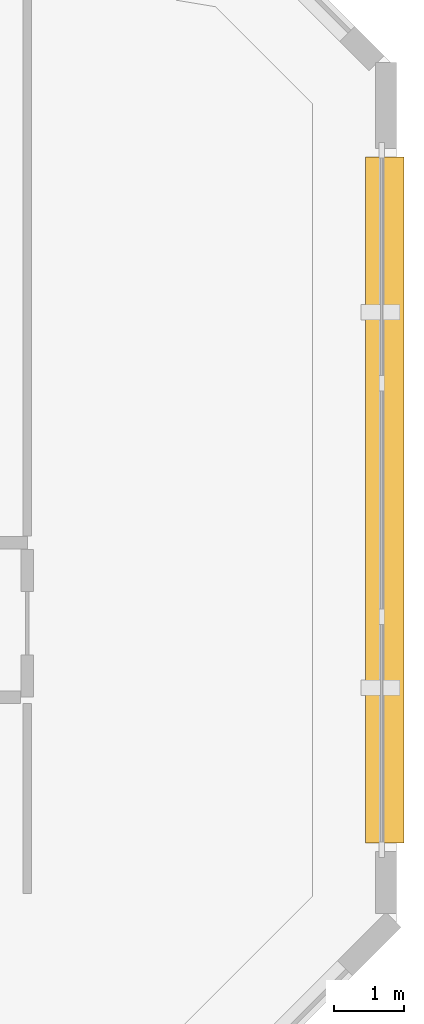
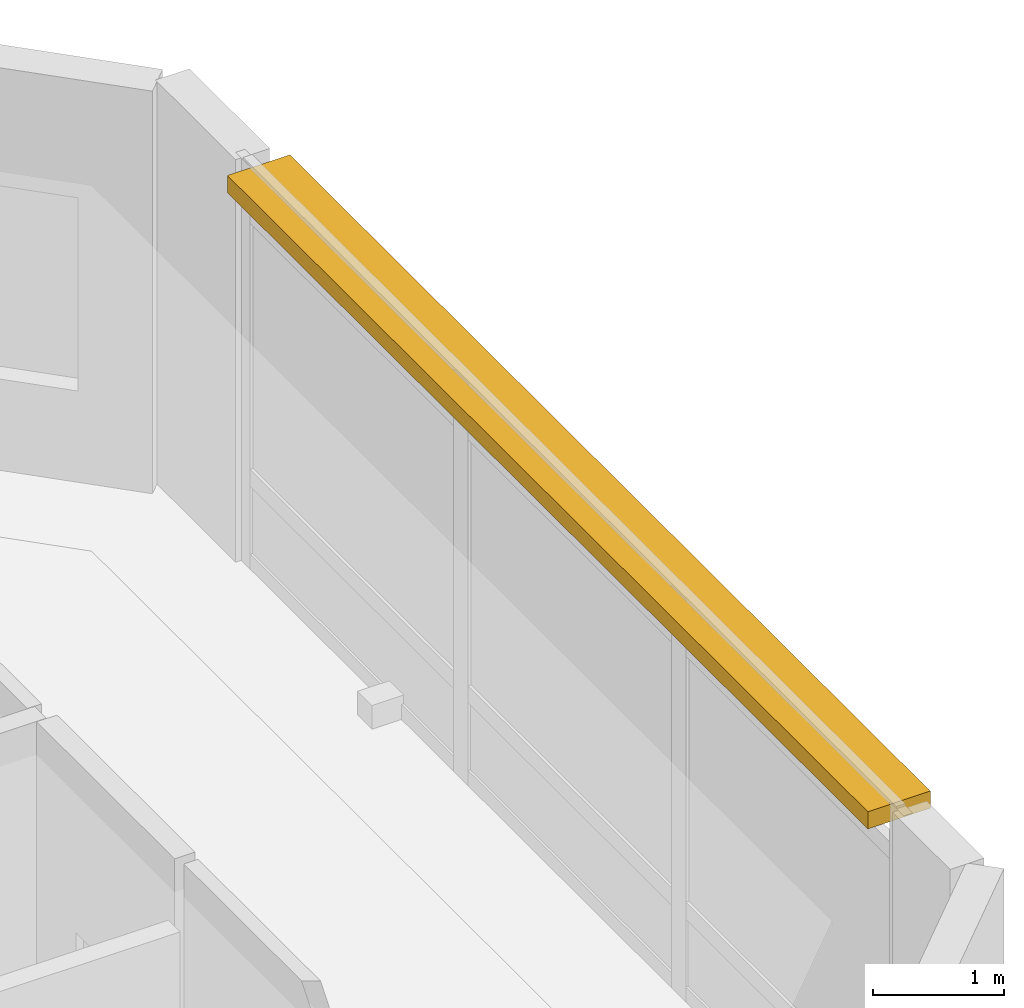
# One storey, part 12 of 12: 1 shading device.
"""IFC4 building model written with IfcOpenShell, lengths in metres."""

import ifcopenshell
import ifcopenshell.guid

model = None  # the IFC model being written
_history = None  # IfcOwnerHistory: only IFC2X3 demands one
_inside = {}  # id of a spatial element -> (the spatial element, [elements in it])
_under = {}  # id of a project, library or spatial element -> (it, [spatial elements below it])
_declared = {}  # id of a project -> (the project, [libraries it declares])
_typed = {}  # id of a type object -> (the type object, [elements of that type])
_made_of = {}  # id of a material, layer set ... -> (it, [elements and type objects made of it])


def new_model(schema):
    """Start an empty IFC model of exactly this schema.

    Asked for "IFC4X3", IfcOpenShell would pick the latest addendum, in which some entities
    have other attributes; the version numbers below select the first issue.
    IFC2X3 requires an IfcOwnerHistory on every rooted entity: one is made here for all.
    """
    global model, _history
    if schema == "IFC4X3":
        model = ifcopenshell.file(schema_version=(4, 3, 0, 0))
    else:
        model = ifcopenshell.file(schema=schema)
    _inside.clear()
    _under.clear()
    _declared.clear()
    _typed.clear()
    _made_of.clear()
    _history = None
    if model.schema == "IFC2X3":
        org = make("IfcOrganization", Name="unknown")
        user = make(
            "IfcPersonAndOrganization",
            ThePerson=make("IfcPerson", FamilyName="unknown"),
            TheOrganization=org,
        )
        app = make(
            "IfcApplication",
            ApplicationDeveloper=org,
            Version="unknown",
            ApplicationFullName="unknown",
            ApplicationIdentifier="unknown",
        )
        _history = make(
            "IfcOwnerHistory",
            OwningUser=user,
            OwningApplication=app,
            ChangeAction="ADDED",
            CreationDate=0,
        )
    return model


def make(cls, **values):
    """One entity of the class cls with the attributes given. An attribute that is None is left unset."""
    return model.create_entity(
        cls, **{name: value for name, value in values.items() if value is not None}
    )


def rooted(cls, **values):
    """An entity with a GlobalId (a new one), such as an element, a storey or a relation."""
    return make(cls, GlobalId=ifcopenshell.guid.new(), OwnerHistory=_history, **values)


def si_unit(unit_type, name, prefix=None):
    """IfcSIUnit, for example si_unit("LENGTHUNIT", "METRE", prefix="MILLI")."""
    return make("IfcSIUnit", UnitType=unit_type, Prefix=prefix, Name=name)


def assignment(units):
    """IfcUnitAssignment: the units of a project."""
    return None if units is None else make("IfcUnitAssignment", Units=units)


def point(xyz):
    """IfcCartesianPoint."""
    return None if xyz is None else make("IfcCartesianPoint", Coordinates=xyz)


def direction(xyz):
    """IfcDirection."""
    return None if xyz is None else make("IfcDirection", DirectionRatios=xyz)


def frame(location, z_axis=None, x_axis=None):
    """IfcAxis2Placement3D, a coordinate frame: its origin and axes. An axis left out is left unset."""
    return make(
        "IfcAxis2Placement3D",
        Location=point(location),
        Axis=direction(z_axis),
        RefDirection=direction(x_axis),
    )


def frame_2d(location, x_axis=None):
    """IfcAxis2Placement2D, a coordinate frame in the plane: its origin and x axis."""
    return make(
        "IfcAxis2Placement2D", Location=point(location), RefDirection=direction(x_axis)
    )


def origin():
    """The frame at (0, 0, 0) with its axes left unset."""
    return frame((0.0, 0.0, 0.0))


def place(relative_to, where):
    """IfcLocalPlacement: puts the frame where relative to a parent placement (None: the world)."""
    return make(
        "IfcLocalPlacement", PlacementRelTo=relative_to, RelativePlacement=where
    )


def context(
    kind, dimensions, precision=None, world=None, true_north=None, identifier=None
):
    """IfcGeometricRepresentationContext, for example the 3D "Model" context."""
    return make(
        "IfcGeometricRepresentationContext",
        ContextIdentifier=identifier,
        ContextType=kind,
        CoordinateSpaceDimension=dimensions,
        Precision=precision,
        WorldCoordinateSystem=world,
        TrueNorth=true_north,
    )


def subcontext(parent, identifier, kind, view, scale=None):
    """IfcGeometricRepresentationSubContext, for example "Body" below "Model"."""
    return make(
        "IfcGeometricRepresentationSubContext",
        ContextIdentifier=identifier,
        ContextType=kind,
        ParentContext=parent,
        TargetScale=scale,
        TargetView=view,
    )


def project(units=None, contexts=None):
    """IfcProject with its units and contexts."""
    return rooted(
        "IfcProject",
        Name="project",
        RepresentationContexts=contexts,
        UnitsInContext=assignment(units),
    )


def spatial(cls, under=None, at=None, **own):
    """A site, building, storey or space (cls), placed at a placement, below another one or the project."""
    s = rooted(cls, ObjectPlacement=at, **own)
    if under is not None:
        _under.setdefault(under.id(), (under, []))[1].append(s)
    return s


def profile(cls, at=None, kind="AREA", **sizes):
    """A parametric profile (cls). Its sizes go by their IFC names, for example OverallWidth=200.0."""
    return make(cls, ProfileType=kind, Position=at, **sizes)


def rectangle(**sizes):
    """IfcRectangleProfileDef."""
    return profile("IfcRectangleProfileDef", **sizes)


def extrude(swept, where, along, depth):
    """IfcExtrudedAreaSolid: the profile swept, set in the frame where, extruded along a direction by depth."""
    return make(
        "IfcExtrudedAreaSolid",
        SweptArea=swept,
        Position=where,
        ExtrudedDirection=direction(along),
        Depth=depth,
    )


def shape(context_of_items, identifier, shape_type, items):
    """IfcShapeRepresentation: the items that make up one representation, for example the "Body"."""
    return make(
        "IfcShapeRepresentation",
        ContextOfItems=context_of_items,
        RepresentationIdentifier=identifier,
        RepresentationType=shape_type,
        Items=items,
    )


def material(Name=None, Category=None):
    """IfcMaterial."""
    return make("IfcMaterial", Name=Name, Category=Category)


def made_of(thing, what):
    """Note that an element or type object is made of a material, layer set ...; save() writes the relation."""
    if what is not None:
        _made_of.setdefault(what.id(), (what, []))[1].append(thing)
    return thing


def type_object(cls, material=None, **own):
    """A type object (cls), such as IfcWallType, which elements share."""
    return made_of(rooted(cls, **own), material)


def element(
    cls,
    number,
    at=None,
    inside=None,
    cuts=None,
    type_object=None,
    material=None,
    context=None,
    identifier="Body",
    shape_type=None,
    held_by="IfcProductDefinitionShape",
    body=None,
    shapes=None,
    **own,
):
    """One element of the class cls, such as IfcWall. Its Tag is "e" and its number.

    at: its placement. inside: the storey or other place that contains it. cuts: it is an
    opening in that element (IfcRelVoidsElement). A single representation is given by context,
    identifier, shape_type and body (its items); several are given by shapes. held_by: the class
    of the entity that holds the representations. save() writes the other relations.
    """
    e = rooted(cls, Tag="e%d" % number, ObjectPlacement=at, **own)
    if body is not None:
        shapes = [shape(context, identifier, shape_type, body)]
    if shapes is not None:
        e.Representation = make(held_by, Representations=shapes)
    if inside is not None:
        _inside.setdefault(inside.id(), (inside, []))[1].append(e)
    if cuts is not None:
        rooted(
            "IfcRelVoidsElement", RelatingBuildingElement=cuts, RelatedOpeningElement=e
        )
    if type_object is not None:
        _typed.setdefault(type_object.id(), (type_object, []))[1].append(e)
    return made_of(e, material)


def aggregate(whole, parts):
    """IfcRelAggregates: a whole, such as a stair, and the parts it consists of."""
    return rooted("IfcRelAggregates", RelatingObject=whole, RelatedObjects=parts)


def save(model, path):
    """Write the relations noted so far, then the file.

    IfcRelAggregates (storeys below a building ...), IfcRelContainedInSpatialStructure (elements
    in a storey), IfcRelDefinesByType, IfcRelAssociatesMaterial and IfcRelDeclares: one each for
    every whole, place, type object, material and project.
    """
    for whole, parts in _under.values():
        aggregate(whole, parts)
    for where, things in _inside.values():
        rooted(
            "IfcRelContainedInSpatialStructure",
            RelatedElements=things,
            RelatingStructure=where,
        )
    for kind, things in _typed.values():
        rooted("IfcRelDefinesByType", RelatedObjects=things, RelatingType=kind)
    for what, things in _made_of.values():
        rooted("IfcRelAssociatesMaterial", RelatedObjects=things, RelatingMaterial=what)
    for by, libraries in _declared.values():
        rooted("IfcRelDeclares", RelatingContext=by, RelatedDefinitions=libraries)
    model.write(path)


model = new_model("IFC4")

# Units and contexts
model_context = context("Model", 3, precision=1e-05, world=origin(), true_north=direction((0.0, 1.0)))
body_context = subcontext(model_context, "Body", "Model", "MODEL_VIEW")
ifc_project = project(units=[si_unit("LENGTHUNIT", "METRE"), si_unit("AREAUNIT", "SQUARE_METRE"), si_unit("VOLUMEUNIT", "CUBIC_METRE"), si_unit("PLANEANGLEUNIT", "RADIAN"), si_unit("MASSUNIT", "GRAM", prefix="KILO")], contexts=[model_context])

# Site, building, storey
site_placement = place(None, origin())
site = spatial("IfcSite", under=ifc_project, at=site_placement, CompositionType="ELEMENT")
building_placement = place(site_placement, origin())
building = spatial("IfcBuilding", under=site, at=building_placement, Name="Calvemar Wedge Station Tower", CompositionType="ELEMENT")
storey_placement = place(building_placement, frame((0.0, 0.0, 51.0)))
storey = spatial("IfcBuildingStorey", under=building, at=storey_placement, Name="L12", CompositionType="ELEMENT", Elevation=51.0)

# Shading device
ifc_material = material(Name="Precast concrete C45", Category="concrete")
shading_device_type = type_object("IfcShadingDeviceType", Name="SHD-EYEBROW-1", PredefinedType="SHUTTER", material=ifc_material)
shading_device_placement = place(storey_placement, frame((60.830078125, 33.72216796875, 3.570068359375), z_axis=(0.0, 0.0, 1.0), x_axis=(0.0, 1.0, 0.0)))
element("IfcShadingDevice", 1, at=shading_device_placement, inside=storey, type_object=shading_device_type, Name="Storey L12 Bronze GFRC Solar Eyebrow 8", PredefinedType="SHUTTER", context=body_context, shape_type="SweptSolid", body=[
    extrude(rectangle(XDim=9.775634765625, YDim=0.550048828125, at=frame_2d((4.8876953125, 0.0))), origin(), (0.0, 0.0, 1.0), 0.159912109375),
])

save(model, "model.ifc")
